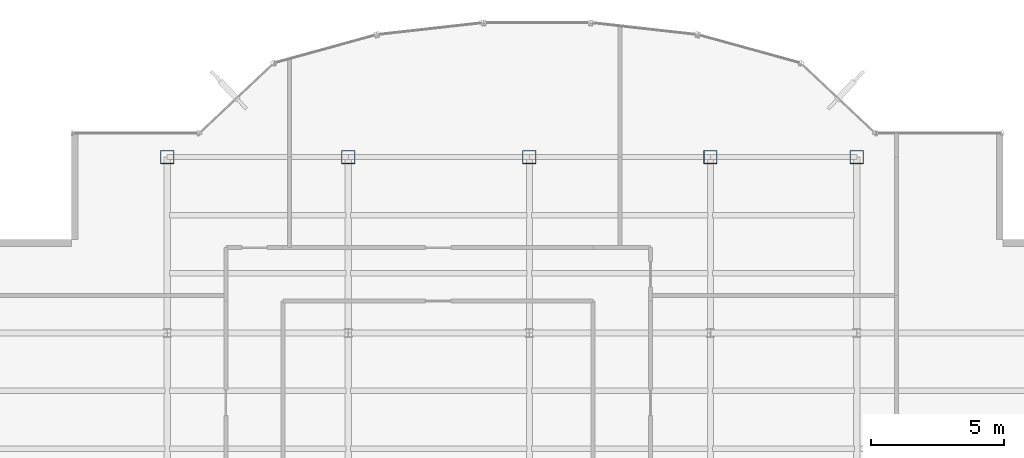
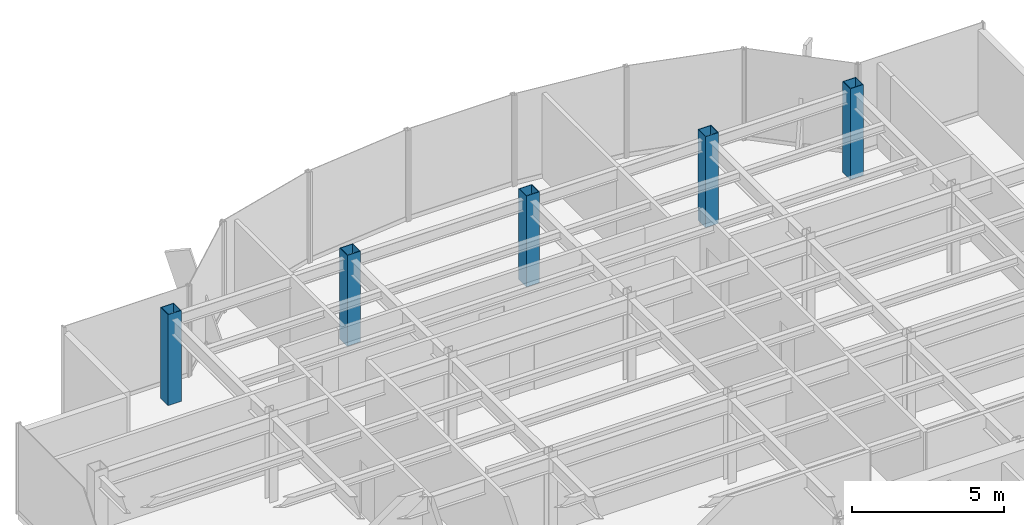
# One storey, part 2 of 22: 5 columns.
"""IFC4 building model written with IfcOpenShell, lengths in metres."""

from ifc_helpers import new_model, si_unit, derived_unit, direction, frame, origin, origin_2d, place, context, subcontext, project, spatial, hollow_rectangle, extrude, source, transform, mapped, material, material_profile, profile_set, type_object, element, save


model = new_model("IFC4")

# Units and contexts
model_context = context("Model", 3, precision=1e-05, world=origin(), true_north=direction((0.0, 1.0)))
body_context = subcontext(model_context, "Body", "Model", "MODEL_VIEW")
ifc_project = project(units=[si_unit("LENGTHUNIT", "METRE"), si_unit("AREAUNIT", "SQUARE_METRE"), si_unit("VOLUMEUNIT", "CUBIC_METRE"), si_unit("PLANEANGLEUNIT", "RADIAN"), si_unit("MASSUNIT", "GRAM", prefix="KILO"), derived_unit("THERMALTRANSMITTANCEUNIT", [(si_unit("POWERUNIT", "WATT"), 1), (si_unit("LENGTHUNIT", "METRE"), -2), (si_unit("THERMODYNAMICTEMPERATUREUNIT", "KELVIN"), -1)])], contexts=[model_context])

# Site, building, storey
site_placement = place(None, origin())
site = spatial("IfcSite", under=ifc_project, at=site_placement, CompositionType="ELEMENT")
building_placement = place(site_placement, origin())
building = spatial("IfcBuilding", under=site, at=building_placement, Name="Skarnbrae Concourse Arena and Tower", CompositionType="ELEMENT")
storey_placement = place(building_placement, frame((0.0, 0.0, 255.14990234375)))
storey = spatial("IfcBuildingStorey", under=building, at=storey_placement, Name="L66", CompositionType="ELEMENT", Elevation=255.14990234375)

# Columns
ifc_material = material(Name="Steel CSA G40.21 350W", Category="steel")
ifc_material_profile = material_profile(ifc_material, hollow_rectangle(XDim=0.5, YDim=0.5, WallThickness=0.02197265625, at=origin_2d()), Name="HSS500X500X22.0")
ifc_profile_set = profile_set([ifc_material_profile], Name="Steel CSA G40.21 350W")
column_type = type_object("IfcColumnType", Name="COL-TUBE-HSS500", PredefinedType="COLUMN", material=ifc_profile_set)
shared_shape = source(origin(), body_context, "Body", "SweptSolid", [
    extrude(hollow_rectangle(XDim=0.5, YDim=0.5, WallThickness=0.02197265625, at=origin_2d()), origin(), (0.0, 0.0, 1.0), 3.650146484375),
])
for number, where, z_axis, x_axis, name in (
    (1, (7.60009765625, 34.39990234375, 0.0), (0.0, 0.0, 1.0), (1.0, 0.0, 0.0), "L66 Tower column PC_02_05"),
    (2, (14.39990234375, 34.39990234375, 0.0), (0.0, 0.0, 1.0), (1.0, 0.0, 0.0), "L66 Tower column PC_03_05"),
    (3, (21.199951171875, 34.39990234375, 0.0), (0.0, 0.0, 1.0), (1.0, 0.0, 0.0), "L66 Tower column PC_04_05"),
    (4, (28.0, 34.39990234375, 0.0), (0.0, 0.0, 1.0), (1.0, 0.0, 0.0), "L66 Tower column PC_05_05"),
    (5, (33.5, 34.39990234375, 0.0), (0.0, 0.0, 1.0), (1.0, 0.0, 0.0), "L66 Tower column PC_06_05"),
):
    element("IfcColumn", number, at=place(storey_placement, frame(where, z_axis=z_axis, x_axis=x_axis)), inside=storey, type_object=column_type, Name=name, PredefinedType="COLUMN", context=body_context, shape_type="MappedRepresentation", body=[
        mapped(shared_shape, transform((0.0, 0.0, 0.0))),
    ])

save(model, "model.ifc")
